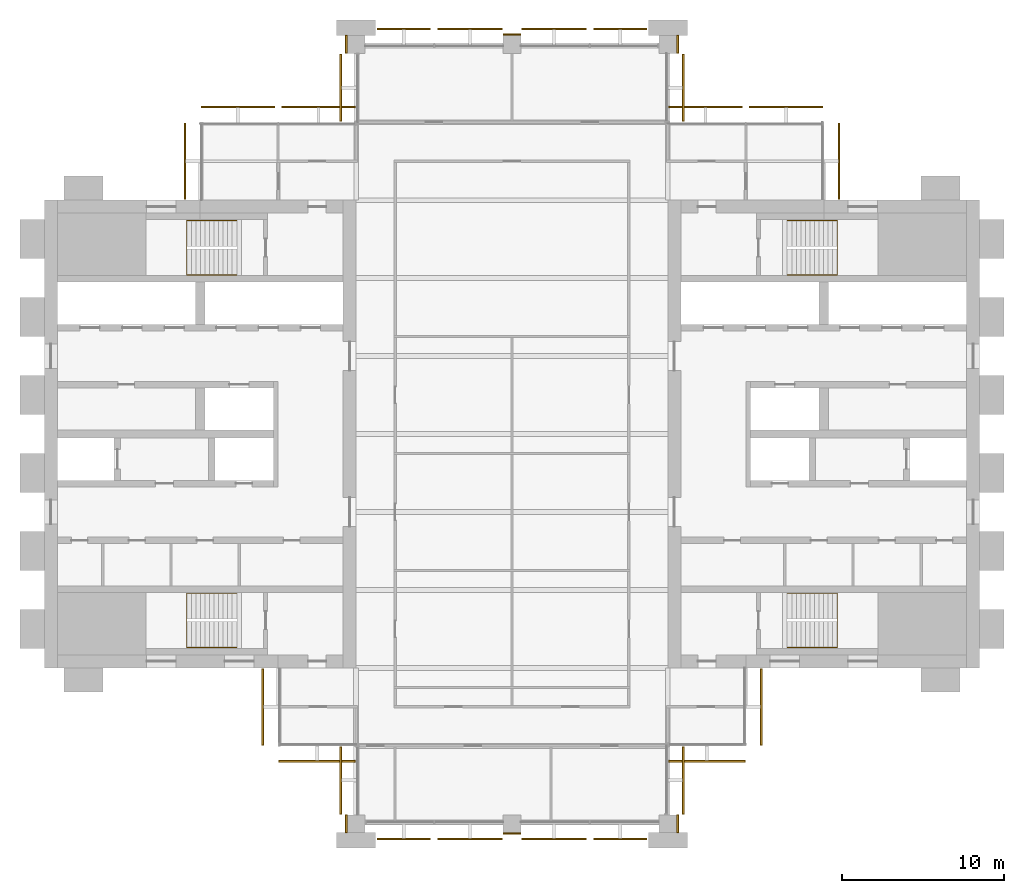
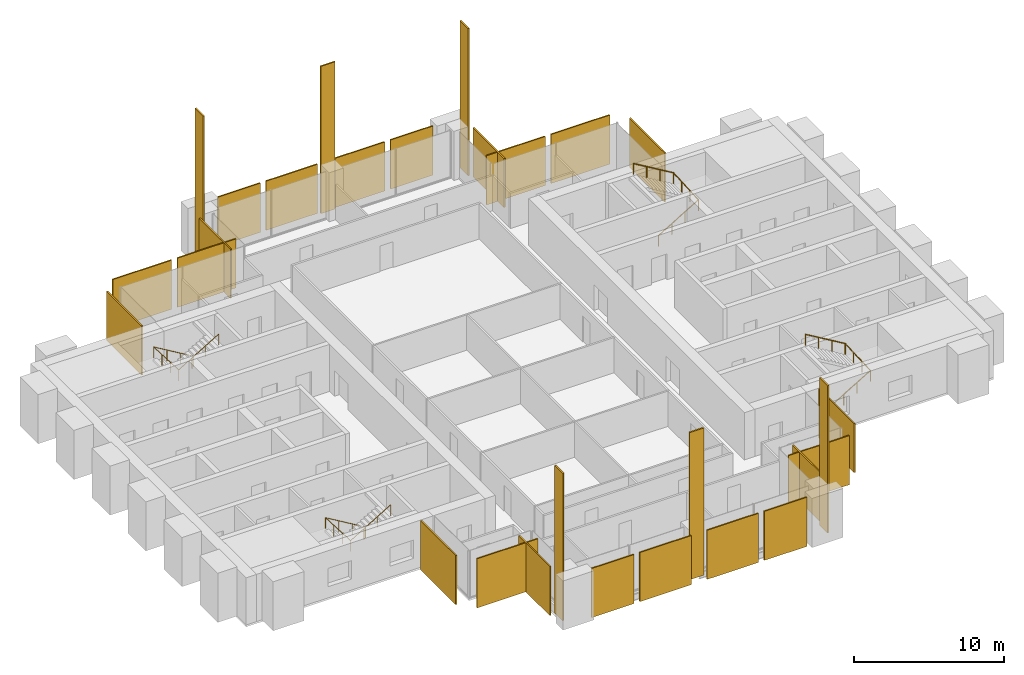
# One storey, part 13 of 13: 28 coverings, 4 railings.
"""IFC4 building model written with IfcOpenShell, lengths in metres."""

from ifc_helpers import new_model, si_unit, direction, frame, origin, origin_2d, place, context, subcontext, project, spatial, polyline, rectangle, circle, outline, extrude, material, layer, layer_set, type_object, element, save


model = new_model("IFC4")

# Units and contexts
model_context = context("Model", 3, precision=1e-05, world=origin(), true_north=direction((0.0, 1.0)))
body_context = subcontext(model_context, "Body", "Model", "MODEL_VIEW")
ifc_project = project(units=[si_unit("LENGTHUNIT", "METRE"), si_unit("AREAUNIT", "SQUARE_METRE"), si_unit("VOLUMEUNIT", "CUBIC_METRE"), si_unit("PLANEANGLEUNIT", "RADIAN"), si_unit("MASSUNIT", "GRAM", prefix="KILO")], contexts=[model_context])

# Site, building, storey
site_placement = place(None, origin())
site = spatial("IfcSite", under=ifc_project, at=site_placement, CompositionType="ELEMENT")
building_placement = place(site_placement, origin())
building = spatial("IfcBuilding", under=site, at=building_placement, Name="Baori Bourse Tower", CompositionType="ELEMENT")
storey_placement = place(building_placement, frame((0.0, 0.0, 237.199951171875)))
storey = spatial("IfcBuildingStorey", under=building, at=storey_placement, Name="L52", CompositionType="ELEMENT", Elevation=237.199951171875)

# Railings
ifc_material_1 = material(Name="Powder-coated steel balustrade", Category="steel")
railing_type = type_object("IfcRailingType", Name="Core stair handrail", PredefinedType="HANDRAIL", material=ifc_material_1)
railing_1_placement = place(storey_placement, frame((11.85009765625, 14.199951171875, 0.166748046875)))
element("IfcRailing", 1, at=railing_1_placement, inside=storey, type_object=railing_type, Name="L52 ST1 stair handrail 1", PredefinedType="HANDRAIL", context=body_context, shape_type="SweptSolid", body=[
    extrude(circle(Radius=0.02392578125, at=origin_2d()), frame((0.0, 0.0, 0.8759765625), z_axis=(-0.859308565015, 0.0, 0.511457515432), x_axis=(0.0, -1.0, 0.0)), (0.0, 0.0, 1.0), 3.58447265625),
    extrude(circle(Radius=0.02392578125, at=origin_2d()), frame((-3.080078125, 0.0, 2.708984375), z_axis=(0.0, -0.998763387249, 0.04971615724), x_axis=(1.0, 0.0, 0.0)), (0.0, 0.0, 1.0), 3.35400390625),
    extrude(circle(Radius=0.02392578125, at=origin_2d()), frame((-3.080078125, -3.349853515625, 2.8759765625), z_axis=(0.859308565015, 0.0, 0.511457515432), x_axis=(0.0, 1.0, 0.0)), (0.0, 0.0, 1.0), 3.58447265625),
    extrude(circle(Radius=0.02099609375, at=origin_2d()), origin(), (0.0, 0.0, 1.0), 0.851806640625),
    extrude(circle(Radius=0.02099609375, at=origin_2d()), frame((-1.026611328125, 0.0, 0.611083984375)), (0.0, 0.0, 1.0), 0.851806640625),
    extrude(circle(Radius=0.02099609375, at=origin_2d()), frame((-2.053466796875, 0.0, 1.22216796875)), (0.0, 0.0, 1.0), 0.851806640625),
    extrude(circle(Radius=0.02099609375, at=origin_2d()), frame((-3.080078125, 0.0, 1.833251953125)), (0.0, 0.0, 1.0), 0.851806640625),
    extrude(circle(Radius=0.02099609375, at=origin_2d()), frame((-3.080078125, -1.11669921875, 1.888916015625)), (0.0, 0.0, 1.0), 0.851806640625),
    extrude(circle(Radius=0.02099609375, at=origin_2d()), frame((-3.080078125, -2.233154296875, 1.9443359375)), (0.0, 0.0, 1.0), 0.851806640625),
    extrude(circle(Radius=0.02099609375, at=origin_2d()), frame((-3.080078125, -3.349853515625, 2.0)), (0.0, 0.0, 1.0), 0.851806640625),
    extrude(circle(Radius=0.02099609375, at=origin_2d()), frame((-2.053466796875, -3.349853515625, 2.611083984375)), (0.0, 0.0, 1.0), 0.851806640625),
    extrude(circle(Radius=0.02099609375, at=origin_2d()), frame((-1.026611328125, -3.349853515625, 3.22216796875)), (0.0, 0.0, 1.0), 0.851806640625),
    extrude(circle(Radius=0.02099609375, at=origin_2d()), frame((0.0, -3.349853515625, 3.833251953125)), (0.0, 0.0, 1.0), 0.851806640625),
])
railing_2_placement = place(storey_placement, frame((11.85009765625, 37.14990234375, 0.166748046875)))
element("IfcRailing", 2, at=railing_2_placement, inside=storey, type_object=railing_type, Name="L52 ST2 stair handrail 1", PredefinedType="HANDRAIL", context=body_context, shape_type="SweptSolid", body=[
    extrude(circle(Radius=0.02392578125, at=origin_2d()), frame((0.0, 0.0, 0.8759765625), z_axis=(-0.859308565015, 0.0, 0.511457515432), x_axis=(0.0, -1.0, 0.0)), (0.0, 0.0, 1.0), 3.58447265625),
    extrude(circle(Radius=0.02392578125, at=origin_2d()), frame((-3.080078125, 0.0, 2.708984375), z_axis=(0.0, -0.998763387249, 0.04971615724), x_axis=(1.0, 0.0, 0.0)), (0.0, 0.0, 1.0), 3.35400390625),
    extrude(circle(Radius=0.02392578125, at=origin_2d()), frame((-3.080078125, -3.349853515625, 2.8759765625), z_axis=(0.859308565015, 0.0, 0.511457515432), x_axis=(0.0, 1.0, 0.0)), (0.0, 0.0, 1.0), 3.58447265625),
    extrude(circle(Radius=0.02099609375, at=origin_2d()), origin(), (0.0, 0.0, 1.0), 0.851806640625),
    extrude(circle(Radius=0.02099609375, at=origin_2d()), frame((-1.026611328125, 0.0, 0.611083984375)), (0.0, 0.0, 1.0), 0.851806640625),
    extrude(circle(Radius=0.02099609375, at=origin_2d()), frame((-2.053466796875, 0.0, 1.22216796875)), (0.0, 0.0, 1.0), 0.851806640625),
    extrude(circle(Radius=0.02099609375, at=origin_2d()), frame((-3.080078125, 0.0, 1.833251953125)), (0.0, 0.0, 1.0), 0.851806640625),
    extrude(circle(Radius=0.02099609375, at=origin_2d()), frame((-3.080078125, -1.11669921875, 1.888916015625)), (0.0, 0.0, 1.0), 0.851806640625),
    extrude(circle(Radius=0.02099609375, at=origin_2d()), frame((-3.080078125, -2.233154296875, 1.9443359375)), (0.0, 0.0, 1.0), 0.851806640625),
    extrude(circle(Radius=0.02099609375, at=origin_2d()), frame((-3.080078125, -3.349853515625, 2.0)), (0.0, 0.0, 1.0), 0.851806640625),
    extrude(circle(Radius=0.02099609375, at=origin_2d()), frame((-2.053466796875, -3.349853515625, 2.611083984375)), (0.0, 0.0, 1.0), 0.851806640625),
    extrude(circle(Radius=0.02099609375, at=origin_2d()), frame((-1.026611328125, -3.349853515625, 3.22216796875)), (0.0, 0.0, 1.0), 0.851806640625),
    extrude(circle(Radius=0.02099609375, at=origin_2d()), frame((0.0, -3.349853515625, 3.833251953125)), (0.0, 0.0, 1.0), 0.851806640625),
])
railing_3_placement = place(storey_placement, frame((45.75, 10.85009765625, 0.166748046875)))
element("IfcRailing", 3, at=railing_3_placement, inside=storey, type_object=railing_type, Name="L52 ST3 stair handrail 1", PredefinedType="HANDRAIL", context=body_context, shape_type="SweptSolid", body=[
    extrude(circle(Radius=0.02392578125, at=origin_2d()), frame((0.0, 0.0, 0.8759765625), z_axis=(0.859308565015, 0.0, 0.511457515432), x_axis=(0.0, 1.0, 0.0)), (0.0, 0.0, 1.0), 3.58447265625),
    extrude(circle(Radius=0.02392578125, at=origin_2d()), frame((3.080078125, 0.0, 2.708984375), z_axis=(0.0, 0.998763387249, 0.04971615724), x_axis=(-1.0, 0.0, 0.0)), (0.0, 0.0, 1.0), 3.35400390625),
    extrude(circle(Radius=0.02392578125, at=origin_2d()), frame((3.080078125, 3.349853515625, 2.8759765625), z_axis=(-0.859308565015, 0.0, 0.511457515432), x_axis=(0.0, -1.0, 0.0)), (0.0, 0.0, 1.0), 3.58447265625),
    extrude(circle(Radius=0.02099609375, at=origin_2d()), origin(), (0.0, 0.0, 1.0), 0.851806640625),
    extrude(circle(Radius=0.02099609375, at=origin_2d()), frame((1.026611328125, 0.0, 0.611083984375)), (0.0, 0.0, 1.0), 0.851806640625),
    extrude(circle(Radius=0.02099609375, at=origin_2d()), frame((2.053466796875, 0.0, 1.22216796875)), (0.0, 0.0, 1.0), 0.851806640625),
    extrude(circle(Radius=0.02099609375, at=origin_2d()), frame((3.080078125, 0.0, 1.833251953125)), (0.0, 0.0, 1.0), 0.851806640625),
    extrude(circle(Radius=0.02099609375, at=origin_2d()), frame((3.080078125, 1.11669921875, 1.888916015625)), (0.0, 0.0, 1.0), 0.851806640625),
    extrude(circle(Radius=0.02099609375, at=origin_2d()), frame((3.080078125, 2.233154296875, 1.9443359375)), (0.0, 0.0, 1.0), 0.851806640625),
    extrude(circle(Radius=0.02099609375, at=origin_2d()), frame((3.080078125, 3.349853515625, 2.0)), (0.0, 0.0, 1.0), 0.851806640625),
    extrude(circle(Radius=0.02099609375, at=origin_2d()), frame((2.053466796875, 3.349853515625, 2.611083984375)), (0.0, 0.0, 1.0), 0.851806640625),
    extrude(circle(Radius=0.02099609375, at=origin_2d()), frame((1.026611328125, 3.349853515625, 3.22216796875)), (0.0, 0.0, 1.0), 0.851806640625),
    extrude(circle(Radius=0.02099609375, at=origin_2d()), frame((0.0, 3.349853515625, 3.833251953125)), (0.0, 0.0, 1.0), 0.851806640625),
])
railing_4_placement = place(storey_placement, frame((45.75, 33.800048828125, 0.166748046875)))
element("IfcRailing", 4, at=railing_4_placement, inside=storey, type_object=railing_type, Name="L52 ST4 stair handrail 1", PredefinedType="HANDRAIL", context=body_context, shape_type="SweptSolid", body=[
    extrude(circle(Radius=0.02392578125, at=origin_2d()), frame((0.0, 0.0, 0.8759765625), z_axis=(0.859308565015, 0.0, 0.511457515432), x_axis=(0.0, 1.0, 0.0)), (0.0, 0.0, 1.0), 3.58447265625),
    extrude(circle(Radius=0.02392578125, at=origin_2d()), frame((3.080078125, 0.0, 2.708984375), z_axis=(0.0, 0.998763387249, 0.04971615724), x_axis=(-1.0, 0.0, 0.0)), (0.0, 0.0, 1.0), 3.35400390625),
    extrude(circle(Radius=0.02392578125, at=origin_2d()), frame((3.080078125, 3.349853515625, 2.8759765625), z_axis=(-0.859308565015, 0.0, 0.511457515432), x_axis=(0.0, -1.0, 0.0)), (0.0, 0.0, 1.0), 3.58447265625),
    extrude(circle(Radius=0.02099609375, at=origin_2d()), origin(), (0.0, 0.0, 1.0), 0.851806640625),
    extrude(circle(Radius=0.02099609375, at=origin_2d()), frame((1.026611328125, 0.0, 0.611083984375)), (0.0, 0.0, 1.0), 0.851806640625),
    extrude(circle(Radius=0.02099609375, at=origin_2d()), frame((2.053466796875, 0.0, 1.22216796875)), (0.0, 0.0, 1.0), 0.851806640625),
    extrude(circle(Radius=0.02099609375, at=origin_2d()), frame((3.080078125, 0.0, 1.833251953125)), (0.0, 0.0, 1.0), 0.851806640625),
    extrude(circle(Radius=0.02099609375, at=origin_2d()), frame((3.080078125, 1.11669921875, 1.888916015625)), (0.0, 0.0, 1.0), 0.851806640625),
    extrude(circle(Radius=0.02099609375, at=origin_2d()), frame((3.080078125, 2.233154296875, 1.9443359375)), (0.0, 0.0, 1.0), 0.851806640625),
    extrude(circle(Radius=0.02099609375, at=origin_2d()), frame((3.080078125, 3.349853515625, 2.0)), (0.0, 0.0, 1.0), 0.851806640625),
    extrude(circle(Radius=0.02099609375, at=origin_2d()), frame((2.053466796875, 3.349853515625, 2.611083984375)), (0.0, 0.0, 1.0), 0.851806640625),
    extrude(circle(Radius=0.02099609375, at=origin_2d()), frame((1.026611328125, 3.349853515625, 3.22216796875)), (0.0, 0.0, 1.0), 0.851806640625),
    extrude(circle(Radius=0.02099609375, at=origin_2d()), frame((0.0, 3.349853515625, 3.833251953125)), (0.0, 0.0, 1.0), 0.851806640625),
])

# Coverings
ifc_material_2 = material(Name="Pale anodised aluminium", Category="aluminium")
ifc_layer_1 = layer(ifc_material_2, 0.10009765625)
ifc_layer_set_1 = layer_set([ifc_layer_1], Name="OS3 Outer skin screen panel")
covering_type_1 = type_object("IfcCoveringType", Name="OS3 Outer skin screen panel", PredefinedType="CLADDING", material=ifc_layer_set_1)
covering_1_placement = place(storey_placement, frame((0.0, 0.0, -0.159912109375)))
element("IfcCovering", 5, at=covering_1_placement, inside=storey, type_object=covering_type_1, Name="Outer skin screen L52 1", PredefinedType="CLADDING", context=body_context, shape_type="SweptSolid", body=[
    extrude(outline(polyline([(48.89990234375, 43.14990234375), (48.89990234375, 38.449951171875), (49.0, 38.449951171875), (49.0, 43.14990234375), (48.89990234375, 43.14990234375)])), origin(), (0.0, 0.0, 1.0), 4.0),
])
covering_2_placement = place(storey_placement, frame((0.0, 0.0, -0.159912109375)))
element("IfcCovering", 6, at=covering_2_placement, inside=storey, type_object=covering_type_1, Name="Outer skin screen L52 2", PredefinedType="CLADDING", context=body_context, shape_type="SweptSolid", body=[
    extrude(outline(polyline([(43.425048828125, 44.10009765625), (47.949951171875, 44.10009765625), (47.949951171875, 44.199951171875), (43.425048828125, 44.199951171875), (43.425048828125, 44.10009765625)])), origin(), (0.0, 0.0, 1.0), 4.0),
])
covering_3_placement = place(storey_placement, frame((0.0, 0.0, -0.159912109375)))
element("IfcCovering", 7, at=covering_3_placement, inside=storey, type_object=covering_type_1, Name="Outer skin screen L52 3", PredefinedType="CLADDING", context=body_context, shape_type="SweptSolid", body=[
    extrude(outline(polyline([(38.449951171875, 44.10009765625), (42.97509765625, 44.10009765625), (42.97509765625, 44.199951171875), (38.449951171875, 44.199951171875), (38.449951171875, 44.10009765625)])), origin(), (0.0, 0.0, 1.0), 4.0),
])
covering_4_placement = place(storey_placement, frame((0.0, 0.0, -0.159912109375)))
element("IfcCovering", 8, at=covering_4_placement, inside=storey, type_object=covering_type_1, Name="Outer skin screen L52 4", PredefinedType="CLADDING", context=body_context, shape_type="SweptSolid", body=[
    extrude(outline(polyline([(39.300048828125, 47.39990234375), (39.300048828125, 43.25), (39.39990234375, 43.25), (39.39990234375, 47.39990234375), (39.300048828125, 47.39990234375)])), origin(), (0.0, 0.0, 1.0), 4.0),
])
covering_5_placement = place(storey_placement, frame((0.0, 0.0, -0.159912109375)))
element("IfcCovering", 9, at=covering_5_placement, inside=storey, type_object=covering_type_1, Name="Outer skin screen L52 5", PredefinedType="CLADDING", context=body_context, shape_type="SweptSolid", body=[
    extrude(outline(polyline([(33.824951171875, 48.89990234375), (37.10009765625, 48.89990234375), (37.10009765625, 49.0), (33.824951171875, 49.0), (33.824951171875, 48.89990234375)])), origin(), (0.0, 0.0, 1.0), 4.0),
])
covering_6_placement = place(storey_placement, frame((0.0, 0.0, -0.159912109375)))
element("IfcCovering", 10, at=covering_6_placement, inside=storey, type_object=covering_type_1, Name="Outer skin screen L52 6", PredefinedType="CLADDING", context=body_context, shape_type="SweptSolid", body=[
    extrude(outline(polyline([(29.39990234375, 48.89990234375), (33.375, 48.89990234375), (33.375, 49.0), (29.39990234375, 49.0), (29.39990234375, 48.89990234375)])), origin(), (0.0, 0.0, 1.0), 4.0),
])
covering_7_placement = place(storey_placement, frame((0.0, 0.0, -0.159912109375)))
element("IfcCovering", 11, at=covering_7_placement, inside=storey, type_object=covering_type_1, Name="Outer skin screen L52 7", PredefinedType="CLADDING", context=body_context, shape_type="SweptSolid", body=[
    extrude(outline(polyline([(24.22509765625, 48.89990234375), (28.199951171875, 48.89990234375), (28.199951171875, 49.0), (24.22509765625, 49.0), (24.22509765625, 48.89990234375)])), origin(), (0.0, 0.0, 1.0), 4.0),
])
covering_8_placement = place(storey_placement, frame((0.0, 0.0, -0.159912109375)))
element("IfcCovering", 12, at=covering_8_placement, inside=storey, type_object=covering_type_1, Name="Outer skin screen L52 8", PredefinedType="CLADDING", context=body_context, shape_type="SweptSolid", body=[
    extrude(outline(polyline([(20.5, 48.89990234375), (23.77490234375, 48.89990234375), (23.77490234375, 49.0), (20.5, 49.0), (20.5, 48.89990234375)])), origin(), (0.0, 0.0, 1.0), 4.0),
])
covering_9_placement = place(storey_placement, frame((0.0, 0.0, -0.159912109375)))
element("IfcCovering", 13, at=covering_9_placement, inside=storey, type_object=covering_type_1, Name="Outer skin screen L52 9", PredefinedType="CLADDING", context=body_context, shape_type="SweptSolid", body=[
    extrude(outline(polyline([(18.300048828125, 43.25), (18.300048828125, 47.39990234375), (18.199951171875, 47.39990234375), (18.199951171875, 43.25), (18.300048828125, 43.25)])), origin(), (0.0, 0.0, 1.0), 4.0),
])
covering_10_placement = place(storey_placement, frame((0.0, 0.0, -0.159912109375)))
element("IfcCovering", 14, at=covering_10_placement, inside=storey, type_object=covering_type_1, Name="Outer skin screen L52 10", PredefinedType="CLADDING", context=body_context, shape_type="SweptSolid", body=[
    extrude(outline(polyline([(14.625, 44.10009765625), (19.14990234375, 44.10009765625), (19.14990234375, 44.199951171875), (14.625, 44.199951171875), (14.625, 44.10009765625)])), origin(), (0.0, 0.0, 1.0), 4.0),
])
covering_11_placement = place(storey_placement, frame((0.0, 0.0, -0.159912109375)))
element("IfcCovering", 15, at=covering_11_placement, inside=storey, type_object=covering_type_1, Name="Outer skin screen L52 11", PredefinedType="CLADDING", context=body_context, shape_type="SweptSolid", body=[
    extrude(outline(polyline([(9.64990234375, 44.10009765625), (14.175048828125, 44.10009765625), (14.175048828125, 44.199951171875), (9.64990234375, 44.199951171875), (9.64990234375, 44.10009765625)])), origin(), (0.0, 0.0, 1.0), 4.0),
])
covering_12_placement = place(storey_placement, frame((0.0, 0.0, -0.159912109375)))
element("IfcCovering", 16, at=covering_12_placement, inside=storey, type_object=covering_type_1, Name="Outer skin screen L52 12", PredefinedType="CLADDING", context=body_context, shape_type="SweptSolid", body=[
    extrude(outline(polyline([(8.699951171875, 38.449951171875), (8.699951171875, 43.14990234375), (8.60009765625, 43.14990234375), (8.60009765625, 38.449951171875), (8.699951171875, 38.449951171875)])), origin(), (0.0, 0.0, 1.0), 4.0),
])
covering_13_placement = place(storey_placement, frame((0.0, 0.0, -0.159912109375)))
element("IfcCovering", 17, at=covering_13_placement, inside=storey, type_object=covering_type_1, Name="Outer skin screen L52 13", PredefinedType="CLADDING", context=body_context, shape_type="SweptSolid", body=[
    extrude(outline(polyline([(13.5, 4.85009765625), (13.5, 9.550048828125), (13.39990234375, 9.550048828125), (13.39990234375, 4.85009765625), (13.5, 4.85009765625)])), origin(), (0.0, 0.0, 1.0), 4.0),
])
covering_14_placement = place(storey_placement, frame((0.0, 0.0, -0.159912109375)))
element("IfcCovering", 18, at=covering_14_placement, inside=storey, type_object=covering_type_1, Name="Outer skin screen L52 14", PredefinedType="CLADDING", context=body_context, shape_type="SweptSolid", body=[
    extrude(outline(polyline([(19.14990234375, 3.89990234375), (14.449951171875, 3.89990234375), (14.449951171875, 3.800048828125), (19.14990234375, 3.800048828125), (19.14990234375, 3.89990234375)])), origin(), (0.0, 0.0, 1.0), 4.0),
])
covering_15_placement = place(storey_placement, frame((0.0, 0.0, -0.159912109375)))
element("IfcCovering", 19, at=covering_15_placement, inside=storey, type_object=covering_type_1, Name="Outer skin screen L52 15", PredefinedType="CLADDING", context=body_context, shape_type="SweptSolid", body=[
    extrude(outline(polyline([(18.300048828125, 0.60009765625), (18.300048828125, 4.75), (18.199951171875, 4.75), (18.199951171875, 0.60009765625), (18.300048828125, 0.60009765625)])), origin(), (0.0, 0.0, 1.0), 4.0),
])
covering_16_placement = place(storey_placement, frame((0.0, 0.0, -0.159912109375)))
element("IfcCovering", 20, at=covering_16_placement, inside=storey, type_object=covering_type_1, Name="Outer skin screen L52 16", PredefinedType="CLADDING", context=body_context, shape_type="SweptSolid", body=[
    extrude(outline(polyline([(23.77490234375, -0.89990234375), (20.5, -0.89990234375), (20.5, -1.0), (23.77490234375, -1.0), (23.77490234375, -0.89990234375)])), origin(), (0.0, 0.0, 1.0), 4.0),
])
covering_17_placement = place(storey_placement, frame((0.0, 0.0, -0.159912109375)))
element("IfcCovering", 21, at=covering_17_placement, inside=storey, type_object=covering_type_1, Name="Outer skin screen L52 17", PredefinedType="CLADDING", context=body_context, shape_type="SweptSolid", body=[
    extrude(outline(polyline([(28.199951171875, -0.89990234375), (24.22509765625, -0.89990234375), (24.22509765625, -1.0), (28.199951171875, -1.0), (28.199951171875, -0.89990234375)])), origin(), (0.0, 0.0, 1.0), 4.0),
])
covering_18_placement = place(storey_placement, frame((0.0, 0.0, -0.159912109375)))
element("IfcCovering", 22, at=covering_18_placement, inside=storey, type_object=covering_type_1, Name="Outer skin screen L52 18", PredefinedType="CLADDING", context=body_context, shape_type="SweptSolid", body=[
    extrude(outline(polyline([(33.375, -0.89990234375), (29.39990234375, -0.89990234375), (29.39990234375, -1.0), (33.375, -1.0), (33.375, -0.89990234375)])), origin(), (0.0, 0.0, 1.0), 4.0),
])
covering_19_placement = place(storey_placement, frame((0.0, 0.0, -0.159912109375)))
element("IfcCovering", 23, at=covering_19_placement, inside=storey, type_object=covering_type_1, Name="Outer skin screen L52 19", PredefinedType="CLADDING", context=body_context, shape_type="SweptSolid", body=[
    extrude(outline(polyline([(37.10009765625, -0.89990234375), (33.824951171875, -0.89990234375), (33.824951171875, -1.0), (37.10009765625, -1.0), (37.10009765625, -0.89990234375)])), origin(), (0.0, 0.0, 1.0), 4.0),
])
covering_20_placement = place(storey_placement, frame((0.0, 0.0, -0.159912109375)))
element("IfcCovering", 24, at=covering_20_placement, inside=storey, type_object=covering_type_1, Name="Outer skin screen L52 20", PredefinedType="CLADDING", context=body_context, shape_type="SweptSolid", body=[
    extrude(outline(polyline([(39.300048828125, 4.75), (39.300048828125, 0.60009765625), (39.39990234375, 0.60009765625), (39.39990234375, 4.75), (39.300048828125, 4.75)])), origin(), (0.0, 0.0, 1.0), 4.0),
])
covering_21_placement = place(storey_placement, frame((0.0, 0.0, -0.159912109375)))
element("IfcCovering", 25, at=covering_21_placement, inside=storey, type_object=covering_type_1, Name="Outer skin screen L52 21", PredefinedType="CLADDING", context=body_context, shape_type="SweptSolid", body=[
    extrude(outline(polyline([(43.14990234375, 3.89990234375), (38.449951171875, 3.89990234375), (38.449951171875, 3.800048828125), (43.14990234375, 3.800048828125), (43.14990234375, 3.89990234375)])), origin(), (0.0, 0.0, 1.0), 4.0),
])
covering_22_placement = place(storey_placement, frame((0.0, 0.0, -0.159912109375)))
element("IfcCovering", 26, at=covering_22_placement, inside=storey, type_object=covering_type_1, Name="Outer skin screen L52 22", PredefinedType="CLADDING", context=body_context, shape_type="SweptSolid", body=[
    extrude(outline(polyline([(44.10009765625, 9.550048828125), (44.10009765625, 4.85009765625), (44.199951171875, 4.85009765625), (44.199951171875, 9.550048828125), (44.10009765625, 9.550048828125)])), origin(), (0.0, 0.0, 1.0), 4.0),
])
ifc_material_3 = material(Name="Face brick", Category="masonry")
ifc_layer_2 = layer(ifc_material_3, 0.110107421875)
ifc_layer_set_2 = layer_set([ifc_layer_2], Name="PC1 Brick pier facing")
covering_type_2 = type_object("IfcCoveringType", Name="PC1 Brick pier facing", PredefinedType="CLADDING", material=ifc_layer_set_2)
covering_23_placement = place(storey_placement, frame((18.594970703125, 0.0, 0.0), z_axis=(0.0, 0.0, 1.0), x_axis=(1.0, 0.0, 0.0)))
element("IfcCovering", 27, at=covering_23_placement, inside=storey, type_object=covering_type_2, Name="Brick pier facing L52 1", PredefinedType="CLADDING", context=body_context, shape_type="SweptSolid", body=[
    extrude(rectangle(XDim=0.110107421875, YDim=1.10009765625, at=origin_2d()), origin(), (0.0, 0.0, 1.0), 12.0),
])
covering_24_placement = place(storey_placement, frame((28.800048828125, -0.60498046875, 0.0), z_axis=(0.0, 0.0, 1.0), x_axis=(1.0, 0.0, 0.0)))
element("IfcCovering", 28, at=covering_24_placement, inside=storey, type_object=covering_type_2, Name="Brick pier facing L52 2", PredefinedType="CLADDING", context=body_context, shape_type="SweptSolid", body=[
    extrude(rectangle(XDim=1.10009765625, YDim=0.110107421875, at=origin_2d()), origin(), (0.0, 0.0, 1.0), 12.0),
])
for number, where, z_axis, x_axis, name in (
    (29, (39.0048828125, 0.0, 0.0), (0.0, 0.0, 1.0), (1.0, 0.0, 0.0), "Brick pier facing L52 3"),
    (30, (18.594970703125, 48.0, 0.0), (0.0, 0.0, 1.0), (1.0, 0.0, 0.0), "Brick pier facing L52 4"),
):
    element("IfcCovering", number, at=place(storey_placement, frame(where, z_axis=z_axis, x_axis=x_axis)), inside=storey, type_object=covering_type_2, Name=name, PredefinedType="CLADDING", context=body_context, shape_type="SweptSolid", body=[
        extrude(rectangle(XDim=0.110107421875, YDim=1.10009765625, at=origin_2d()), origin(), (0.0, 0.0, 1.0), 12.0),
    ])
covering_25_placement = place(storey_placement, frame((28.800048828125, 48.60498046875, 0.0), z_axis=(0.0, 0.0, 1.0), x_axis=(1.0, 0.0, 0.0)))
element("IfcCovering", 31, at=covering_25_placement, inside=storey, type_object=covering_type_2, Name="Brick pier facing L52 5", PredefinedType="CLADDING", context=body_context, shape_type="SweptSolid", body=[
    extrude(rectangle(XDim=1.10009765625, YDim=0.110107421875, at=origin_2d()), origin(), (0.0, 0.0, 1.0), 12.0),
])
covering_26_placement = place(storey_placement, frame((39.0048828125, 48.0, 0.0), z_axis=(0.0, 0.0, 1.0), x_axis=(1.0, 0.0, 0.0)))
element("IfcCovering", 32, at=covering_26_placement, inside=storey, type_object=covering_type_2, Name="Brick pier facing L52 6", PredefinedType="CLADDING", context=body_context, shape_type="SweptSolid", body=[
    extrude(rectangle(XDim=0.110107421875, YDim=1.10009765625, at=origin_2d()), origin(), (0.0, 0.0, 1.0), 12.0),
])

save(model, "model.ifc")
